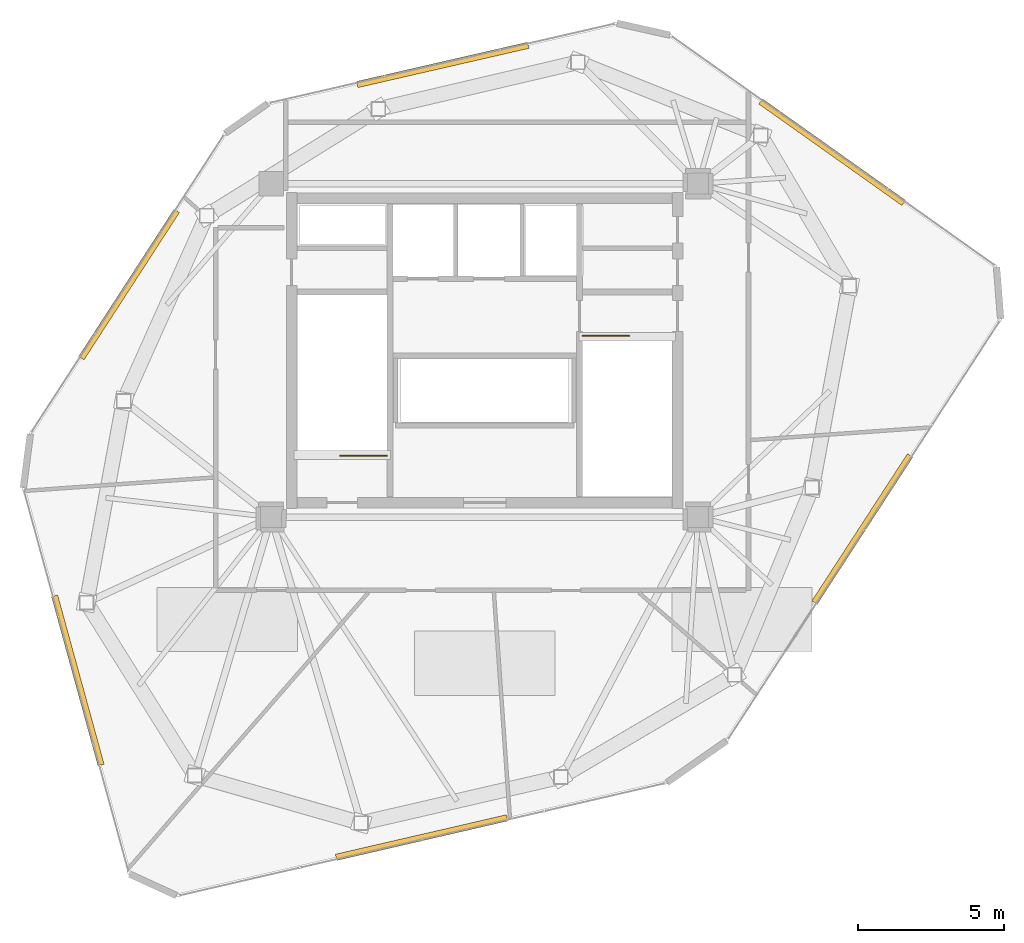
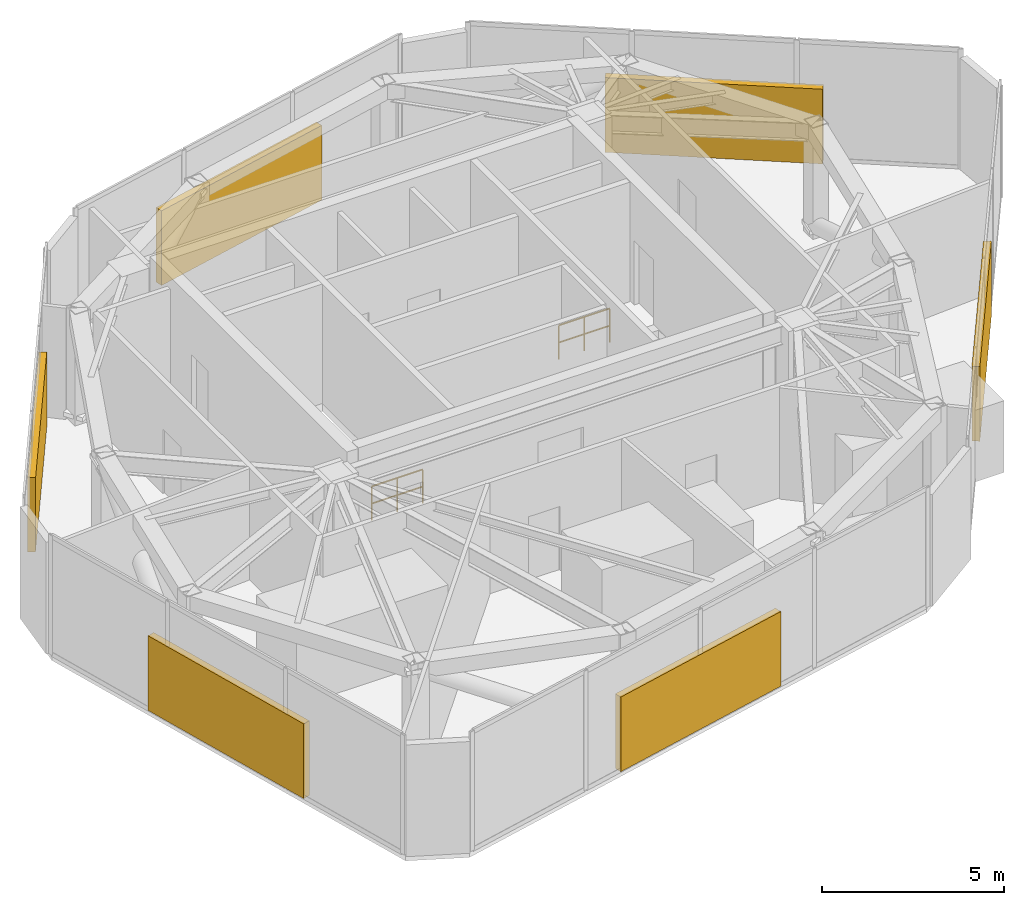
# One storey, part 19 of 20: 6 shading devices, 2 railings.
"""IFC4 building model written with IfcOpenShell, lengths in metres."""

from ifc_helpers import new_model, si_unit, direction, frame, origin, origin_2d, place, context, subcontext, project, spatial, rectangle, circle, extrude, source, transform, mapped, material, type_object, type_shapes, element, save


model = new_model("IFC4")

# Units and contexts
model_context = context("Model", 3, precision=1e-05, world=origin(), true_north=direction((0.0, 1.0)))
body_context = subcontext(model_context, "Body", "Model", "MODEL_VIEW")
ifc_project = project(units=[si_unit("LENGTHUNIT", "METRE"), si_unit("AREAUNIT", "SQUARE_METRE"), si_unit("VOLUMEUNIT", "CUBIC_METRE"), si_unit("PLANEANGLEUNIT", "RADIAN"), si_unit("MASSUNIT", "GRAM", prefix="KILO")], contexts=[model_context])

# Site, building, storey
site_placement = place(None, origin())
site = spatial("IfcSite", under=ifc_project, at=site_placement, CompositionType="ELEMENT")
building_placement = place(site_placement, origin())
building = spatial("IfcBuilding", under=site, at=building_placement, Name="Talar Marvaseh", CompositionType="ELEMENT")
storey_placement = place(building_placement, frame((0.0, 0.0, 312.0)))
storey = spatial("IfcBuildingStorey", under=building, at=storey_placement, Name="L83", CompositionType="ELEMENT", Elevation=312.0)

# Railings
ifc_material_1 = material(Name="Stainless Steel Grade 316", Category="steel")
railing_type = type_object("IfcRailingType", Name="Painted Steel Core Stair Well Guardrail 1150", PredefinedType="GUARDRAIL", material=ifc_material_1)
railing_1_placement = place(storey_placement, frame((22.659912109375, 27.60009765625, 0.0)))
element("IfcRailing", 1, at=railing_1_placement, inside=storey, type_object=railing_type, Name="L83 ST-1 top well guard 1", PredefinedType="GUARDRAIL", context=body_context, shape_type="SweptSolid", body=[
    extrude(circle(Radius=0.02392578125, at=origin_2d()), frame((0.0, 0.0, 1.1259765625), z_axis=(-1.0, 0.0, 0.0), x_axis=(0.0, -1.0, 0.0)), (0.0, 0.0, 1.0), 1.60986328125),
    extrude(circle(Radius=0.02392578125, at=origin_2d()), frame((0.0, 0.0, 0.55078125), z_axis=(-1.0, 0.0, 0.0), x_axis=(0.0, -1.0, 0.0)), (0.0, 0.0, 1.0), 1.60986328125),
    extrude(circle(Radius=0.02099609375, at=origin_2d()), origin(), (0.0, 0.0, 1.0), 1.101806640625),
    extrude(circle(Radius=0.02099609375, at=origin_2d()), frame((-0.804931640625, 0.0, 0.0)), (0.0, 0.0, 1.0), 1.101806640625),
    extrude(circle(Radius=0.02099609375, at=origin_2d()), frame((-1.60986328125, 0.0, 0.0)), (0.0, 0.0, 1.0), 1.101806640625),
])
railing_2_placement = place(storey_placement, frame((29.340087890625, 31.699951171875, 0.0)))
element("IfcRailing", 2, at=railing_2_placement, inside=storey, type_object=railing_type, Name="L83 ST-2 top well guard 1", PredefinedType="GUARDRAIL", context=body_context, shape_type="SweptSolid", body=[
    extrude(circle(Radius=0.02392578125, at=origin_2d()), frame((0.0, 0.0, 1.1259765625), z_axis=(1.0, 0.0, 0.0), x_axis=(0.0, 1.0, 0.0)), (0.0, 0.0, 1.0), 1.60986328125),
    extrude(circle(Radius=0.02392578125, at=origin_2d()), frame((0.0, 0.0, 0.55078125), z_axis=(1.0, 0.0, 0.0), x_axis=(0.0, 1.0, 0.0)), (0.0, 0.0, 1.0), 1.60986328125),
    extrude(circle(Radius=0.02099609375, at=origin_2d()), origin(), (0.0, 0.0, 1.0), 1.101806640625),
    extrude(circle(Radius=0.02099609375, at=origin_2d()), frame((0.804931640625, 0.0, 0.0)), (0.0, 0.0, 1.0), 1.101806640625),
    extrude(circle(Radius=0.02099609375, at=origin_2d()), frame((1.60986328125, 0.0, 0.0)), (0.0, 0.0, 1.0), 1.101806640625),
])

# Shading devices
ifc_material_2 = material(Name="Anodised Champagne Bronze Aluminium", Category="aluminium")
shading_device_type = type_object("IfcShadingDeviceType", Name="Acoustic Weatherproof Plant Louvre Bank", PredefinedType="USERDEFINED", material=ifc_material_2)
shared_shape = source(origin(), body_context, "Body", "SweptSolid", [
    extrude(rectangle(XDim=6.0, YDim=0.219970703125, at=origin_2d()), origin(), (0.0, 0.0, 1.0), 2.5),
])
type_shapes(shading_device_type, [shared_shape])
for number, where, z_axis, x_axis, name in (
    (3, (12.086669921875, 19.917724609375, 0.0), (0.0, 0.0, 1.0), (-0.264714684522, 0.964326778534, 0.0), "L83 Acoustic Plant Louvre Screen"),
    (4, (13.838623046875, 33.455322265625, 0.0), (0.0, 0.0, 1.0), (0.543613999406, 0.839335343977, 0.0), "L83 Acoustic Plant Louvre Screen"),
    (5, (24.563232421875, 40.96484375, 0.0), (0.0, 0.0, 1.0), (0.974644167091, 0.223760469153, 0.0), "L83 Acoustic Plant Louvre Screen"),
    (6, (37.8837890625, 37.98095703125, 0.0), (0.0, 0.0, 1.0), (0.815633003474, -0.578569618666, 0.0), "L83 Acoustic Plant Louvre Screen"),
    (7, (38.91455078125, 25.095703125, 0.0), (0.0, 0.0, 1.0), (-0.544785402346, -0.838575497728, 0.0), "L83 Acoustic Plant Louvre Screen"),
    (8, (23.84228515625, 14.5419921875, 0.0), (0.0, 0.0, 1.0), (-0.974330788579, -0.225121110574, 0.0), "L83 Acoustic Plant Louvre Screen"),
):
    element("IfcShadingDevice", number, at=place(storey_placement, frame(where, z_axis=z_axis, x_axis=x_axis)), inside=storey, type_object=shading_device_type, Name=name, ObjectType="LOUVRE", PredefinedType="USERDEFINED", context=body_context, shape_type="MappedRepresentation", body=[
        mapped(shared_shape, transform((0.0, 0.0, 0.0), x_axis=(1.0, 0.0, 0.0), y_axis=(0.0, 1.0, 0.0), z_axis=(0.0, 0.0, 1.0), scale=1.0)),
    ])

save(model, "model.ifc")
